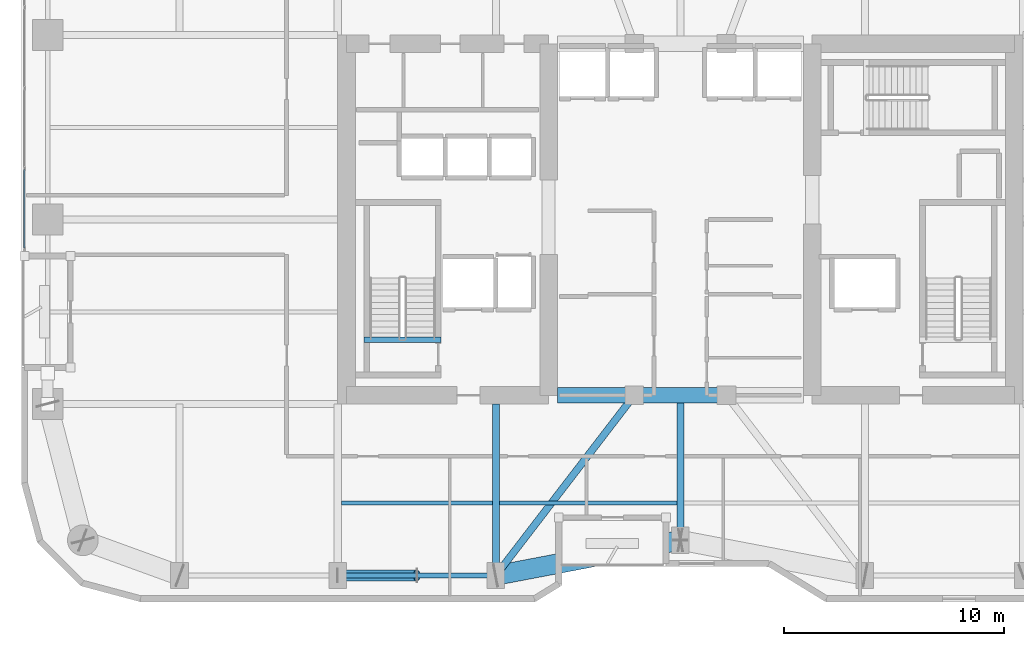
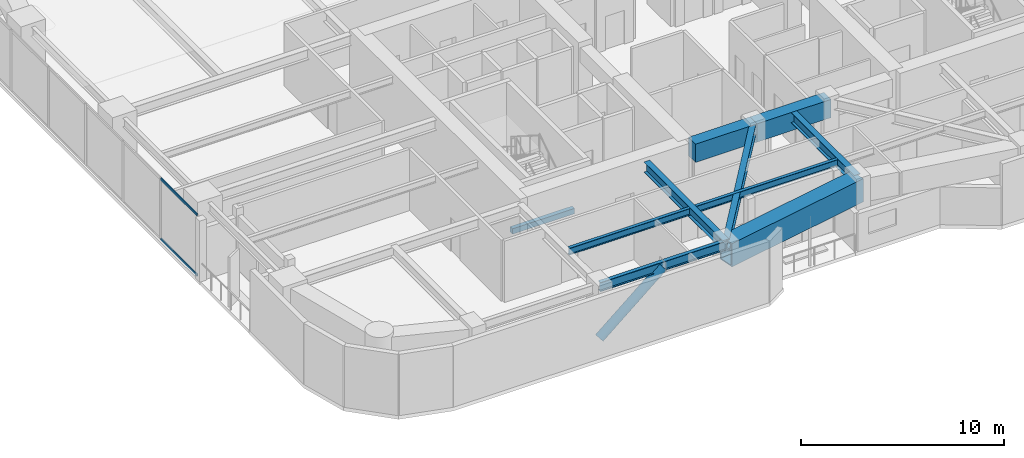
# One storey, part 3 of 31: 10 beams, 3 members, 1 element without a shape of its own.
"""IFC4 building model written with IfcOpenShell, lengths in metres."""

from ifc_helpers import new_model, si_unit, direction, frame, origin, origin_2d, place, context, subcontext, project, spatial, rectangle, hollow_rectangle, hollow_circle, i_section, extrude, material, layer, layer_set, material_profile, profile_set, type_object, element, aggregate, save


model = new_model("IFC4")

# Units and contexts
model_context = context("Model", 3, precision=1e-05, world=origin(), true_north=direction((0.0, 1.0)))
body_context = subcontext(model_context, "Body", "Model", "MODEL_VIEW")
ifc_project = project(units=[si_unit("LENGTHUNIT", "METRE"), si_unit("AREAUNIT", "SQUARE_METRE"), si_unit("VOLUMEUNIT", "CUBIC_METRE"), si_unit("PLANEANGLEUNIT", "RADIAN"), si_unit("MASSUNIT", "GRAM", prefix="KILO")], contexts=[model_context])

# Site, building, storey
site_placement = place(None, origin())
site = spatial("IfcSite", under=ifc_project, at=site_placement, CompositionType="ELEMENT")
building_placement = place(site_placement, origin())
building = spatial("IfcBuilding", under=site, at=building_placement, Name="Kiyonajd Concourse Tower", CompositionType="ELEMENT")
storey_placement = place(building_placement, frame((0.0, 0.0, 158.39990234375)))
storey = spatial("IfcBuildingStorey", under=building, at=storey_placement, Name="L40", CompositionType="ELEMENT", Elevation=158.39990234375)

# Beams
ifc_material_1 = material(Name="Concrete C70/85", Category="concrete")
ifc_material_profile_1 = material_profile(ifc_material_1, rectangle(XDim=0.699951171875, YDim=1.10009765625, at=origin_2d()), Name="RCBM-700x1100")
ifc_profile_set_1 = profile_set([ifc_material_profile_1], Name="Concrete C70/85")
beam_type_1 = type_object("IfcBeamType", Name="BM-COUP-1100", PredefinedType="LINTEL", material=ifc_profile_set_1)
beam_1_placement = place(storey_placement, frame((42.39990234375, 28.0, 3.130126953125), z_axis=(1.0, 0.0, 0.0), x_axis=(0.0, 1.0, 0.0)))
element("IfcBeam", 1, at=beam_1_placement, inside=storey, type_object=beam_type_1, Name="L40 Core Coupling Beam S1", PredefinedType="LINTEL", context=body_context, shape_type="SweptSolid", body=[
    extrude(rectangle(XDim=0.699951171875, YDim=1.10009765625, at=origin_2d()), origin(), (0.0, 0.0, 1.0), 3.5),
])
beam_2_placement = place(storey_placement, frame((45.89990234375, 28.0, 3.130126953125), z_axis=(1.0, 0.0, 0.0), x_axis=(0.0, 1.0, 0.0)))
element("IfcBeam", 2, at=beam_2_placement, inside=storey, type_object=beam_type_1, Name="L40 Core Coupling Beam S2", PredefinedType="LINTEL", context=body_context, shape_type="SweptSolid", body=[
    extrude(rectangle(XDim=0.699951171875, YDim=1.10009765625, at=origin_2d()), origin(), (0.0, 0.0, 1.0), 4.2001953125),
])
ifc_material_2 = material(Name="Steel ASTM A992 Grade 50", Category="steel")
ifc_material_profile_2 = material_profile(ifc_material_2, i_section(OverallWidth=0.180908203125, OverallDepth=0.4169921875, WebThickness=0.010986328125, FlangeThickness=0.018310546875, at=origin_2d()), Name="W410X85")
ifc_profile_set_2 = profile_set([ifc_material_profile_2], Name="Steel ASTM A992 Grade 50")
beam_type_2 = type_object("IfcBeamType", Name="BM-JST-410", PredefinedType="JOIST", material=ifc_profile_set_2)
beam_3_placement = place(storey_placement, frame((32.5634765625, 23.10009765625, 3.4716796875), z_axis=(1.0, 0.0, 0.0), x_axis=(0.0, 1.0, 0.0)))
element("IfcBeam", 3, at=beam_3_placement, inside=storey, type_object=beam_type_2, Name="L40 Secondary Floor Joist", PredefinedType="JOIST", context=body_context, shape_type="SweptSolid", body=[
    extrude(i_section(OverallWidth=0.180908203125, OverallDepth=0.4169921875, WebThickness=0.010986328125, FlangeThickness=0.018310546875, at=origin_2d()), origin(), (0.0, 0.0, 1.0), 6.873046875),
])
beam_4_placement = place(storey_placement, frame((39.763427734375, 23.10009765625, 3.4716796875), z_axis=(1.0, 0.0, 0.0), x_axis=(0.0, 1.0, 0.0)))
element("IfcBeam", 4, at=beam_4_placement, inside=storey, type_object=beam_type_2, Name="L40 Secondary Floor Joist", PredefinedType="JOIST", context=body_context, shape_type="SweptSolid", body=[
    extrude(i_section(OverallWidth=0.180908203125, OverallDepth=0.4169921875, WebThickness=0.010986328125, FlangeThickness=0.018310546875, at=origin_2d()), origin(), (0.0, 0.0, 1.0), 8.072998046875),
])
ifc_material_3 = material(Name="Concrete C50/60", Category="concrete")
ifc_material_profile_3 = material_profile(ifc_material_3, rectangle(XDim=0.239990234375, YDim=0.320068359375, at=origin_2d()), Name="RCBM-240x320")
ifc_profile_set_3 = profile_set([ifc_material_profile_3], Name="Concrete C50/60")
beam_type_3 = type_object("IfcBeamType", Name="BM-LNT-250", PredefinedType="LINTEL", material=ifc_profile_set_3)
beam_5_placement = place(storey_placement, frame((33.590087890625, 30.530029296875, -0.159912109375), z_axis=(1.0, 0.0, 0.0), x_axis=(0.0, 1.0, 0.0)))
element("IfcBeam", 5, at=beam_5_placement, inside=storey, type_object=beam_type_3, Name="L40 Stair ST1 Threshold Support Beam", PredefinedType="LINTEL", context=body_context, shape_type="SweptSolid", body=[
    extrude(rectangle(XDim=0.239990234375, YDim=0.320068359375, at=origin_2d()), origin(), (0.0, 0.0, 1.0), 3.52001953125),
])
ifc_material_profile_4 = material_profile(ifc_material_2, i_section(OverallWidth=0.214111328125, OverallDepth=0.549072265625, WebThickness=0.0146484375, FlangeThickness=0.023681640625, at=origin_2d()), Name="W530X138")
ifc_profile_set_4 = profile_set([ifc_material_profile_4], Name="Steel ASTM A992 Grade 50")
beam_type_4 = type_object("IfcBeamType", Name="BM-SPAN-530A", PredefinedType="SPANDREL", material=ifc_profile_set_4)
beam_6_placement = place(storey_placement, frame((32.39990234375, 19.800048828125, 3.405517578125), z_axis=(1.0, 0.0, 0.0), x_axis=(0.0, 1.0, 0.0)))
element("IfcBeam", 6, at=beam_6_placement, inside=storey, type_object=beam_type_4, Name="L40 Perimeter Bundled Tube Spandrel", PredefinedType="SPANDREL", context=body_context, shape_type="SweptSolid", body=[
    extrude(i_section(OverallWidth=0.214111328125, OverallDepth=0.549072265625, WebThickness=0.0146484375, FlangeThickness=0.023681640625, at=origin_2d()), origin(), (0.0, 0.0, 1.0), 7.2001953125),
])
ifc_material_profile_5 = material_profile(ifc_material_2, i_section(OverallWidth=0.326904296875, OverallDepth=0.6220703125, WebThickness=0.015380859375, FlangeThickness=0.0244140625, at=origin_2d()), Name="W610X195")
ifc_profile_set_5 = profile_set([ifc_material_profile_5], Name="Steel ASTM A992 Grade 50")
beam_type_5 = type_object("IfcBeamType", Name="BM-TWR-610A", PredefinedType="BEAM", material=ifc_profile_set_5)
beam_7_placement = place(storey_placement, frame((39.60009765625, 19.800048828125, 3.369140625), z_axis=(0.609233709922, 0.792990722956, 0.0), x_axis=(-0.792990722956, 0.609233709922, 0.0)))
element("IfcBeam", 7, at=beam_7_placement, inside=storey, type_object=beam_type_5, Name="L40 Core Tie Girder", PredefinedType="BEAM", context=body_context, shape_type="SweptSolid", body=[
    extrude(i_section(OverallWidth=0.326904296875, OverallDepth=0.6220703125, WebThickness=0.015380859375, FlangeThickness=0.0244140625, at=origin_2d()), origin(), (0.0, 0.0, 1.0), 10.340576171875),
])
beam_8_placement = place(storey_placement, frame((39.60009765625, 19.800048828125, 3.369140625), z_axis=(0.0, 1.0, 0.0), x_axis=(-1.0, 0.0, 0.0)))
element("IfcBeam", 8, at=beam_8_placement, inside=storey, type_object=beam_type_5, Name="L40 South Lease Girder", PredefinedType="BEAM", context=body_context, shape_type="SweptSolid", body=[
    extrude(i_section(OverallWidth=0.326904296875, OverallDepth=0.6220703125, WebThickness=0.015380859375, FlangeThickness=0.0244140625, at=origin_2d()), origin(), (0.0, 0.0, 1.0), 7.800048828125),
])
beam_9_placement = place(storey_placement, frame((48.0, 21.39990234375, 3.369140625), z_axis=(0.0, 1.0, 0.0), x_axis=(-1.0, 0.0, 0.0)))
element("IfcBeam", 9, at=beam_9_placement, inside=storey, type_object=beam_type_5, Name="L40 South Ribbon Girder", PredefinedType="BEAM", context=body_context, shape_type="SweptSolid", body=[
    extrude(i_section(OverallWidth=0.326904296875, OverallDepth=0.6220703125, WebThickness=0.015380859375, FlangeThickness=0.0244140625, at=origin_2d()), origin(), (0.0, 0.0, 1.0), 6.60009765625),
])
ifc_material_4 = material(Name="Steel ASTM A572 Grade 50", Category="steel")
ifc_material_profile_6 = material_profile(ifc_material_4, hollow_rectangle(XDim=0.89990234375, YDim=1.39990234375, WallThickness=0.070068359375, at=origin_2d()), Name="BOX-1400x900x70")
ifc_profile_set_6 = profile_set([ifc_material_profile_6], Name="Steel ASTM A572 Grade 50")
beam_type_6 = type_object("IfcBeamType", Name="BM-XFER-1400", PredefinedType="BEAM", material=ifc_profile_set_6)
beam_10_placement = place(storey_placement, frame((39.60009765625, 19.800048828125, 2.97998046875), z_axis=(0.982341315253, 0.187097675953, 0.0), x_axis=(-0.187097675953, 0.982341315253, 0.0)))
element("IfcBeam", 10, at=beam_10_placement, inside=storey, type_object=beam_type_6, Name="L40 Perimeter Bundled Tube Spandrel", PredefinedType="BEAM", context=body_context, shape_type="SweptSolid", body=[
    extrude(hollow_rectangle(XDim=0.89990234375, YDim=1.39990234375, WallThickness=0.070068359375, at=origin_2d()), origin(), (0.0, 0.0, 1.0), 8.55078125),
])

# Curtain wall, members
ifc_material_5 = material(Name="Thermally Broken Anodised Aluminium", Category="aluminium")
ifc_layer = layer(ifc_material_5, 0.179931640625)
ifc_layer_set = layer_set([ifc_layer], Name="Thermally Broken Anodised Aluminium")
curtain_wall_type = type_object("IfcCurtainWallType", Name="CW-SYS-03", PredefinedType="NOTDEFINED", material=ifc_layer_set)
curtain_wall_placement = place(storey_placement, origin())
curtain_wall = element("IfcCurtainWall", 11, at=curtain_wall_placement, inside=storey, type_object=curtain_wall_type, Name="L40 Unitised Curtain Wall CW3", PredefinedType="NOTDEFINED")
ifc_material_profile_7 = material_profile(ifc_material_5, hollow_rectangle(XDim=0.06494140625, YDim=0.139892578125, WallThickness=0.00390625, at=origin_2d()), Name="TRAN-65x140")
ifc_profile_set_7 = profile_set([ifc_material_profile_7], Name="Thermally Broken Anodised Aluminium")
member_type_1 = type_object("IfcMemberType", Name="MB-CW-TRAN1", PredefinedType="USERDEFINED", material=ifc_profile_set_7)
member_1_placement = place(storey_placement, frame((18.139892578125, 34.695068359375, 0.03271484375), z_axis=(0.0, 1.0, 0.0), x_axis=(-1.0, 0.0, 0.0)))
member_1 = element("IfcMember", 12, at=member_1_placement, type_object=member_type_1, Name="CW3 transom 1.1", ObjectType="TRANSOM", PredefinedType="USERDEFINED", context=body_context, shape_type="SweptSolid", body=[
    extrude(hollow_rectangle(XDim=0.06494140625, YDim=0.139892578125, WallThickness=0.00390625, at=origin_2d()), origin(), (0.0, 0.0, 1.0), 3.579345703125),
])
member_2_placement = place(storey_placement, frame((18.139892578125, 34.695068359375, 3.647705078125), z_axis=(0.0, 1.0, 0.0), x_axis=(-1.0, 0.0, 0.0)))
member_2 = element("IfcMember", 13, at=member_2_placement, type_object=member_type_1, Name="CW3 transom 1.2", ObjectType="TRANSOM", PredefinedType="USERDEFINED", context=body_context, shape_type="SweptSolid", body=[
    extrude(hollow_rectangle(XDim=0.06494140625, YDim=0.139892578125, WallThickness=0.00390625, at=origin_2d()), origin(), (0.0, 0.0, 1.0), 3.579345703125),
])
aggregate(curtain_wall, [member_1, member_2])

# Member
ifc_material_6 = material(Name="Steel ASTM A500 Grade C", Category="steel")
ifc_material_profile_8 = material_profile(ifc_material_6, hollow_circle(Radius=0.25390625, WallThickness=0.02197265625, at=origin_2d()), Name="CHS-508x22")
ifc_profile_set_8 = profile_set([ifc_material_profile_8], Name="Steel ASTM A500 Grade C")
member_type_2 = type_object("IfcMemberType", Name="MB-PB-MID", PredefinedType="BRACE", material=ifc_profile_set_8)
member_3_placement = place(storey_placement, frame((32.39990234375, 19.800048828125, 0.300048828125), z_axis=(0.765082043761, 0.0, 0.643932811957), x_axis=(0.0, 1.0, 0.0)))
element("IfcMember", 14, at=member_3_placement, inside=storey, type_object=member_type_2, Name="L40 Upper Zone Hollow Tube Brace PBS", PredefinedType="BRACE", context=body_context, shape_type="SweptSolid", body=[
    extrude(hollow_circle(Radius=0.25390625, WallThickness=0.02197265625, at=origin_2d()), origin(), (0.0, 0.0, 1.0), 4.70556640625),
])

save(model, "model.ifc")
